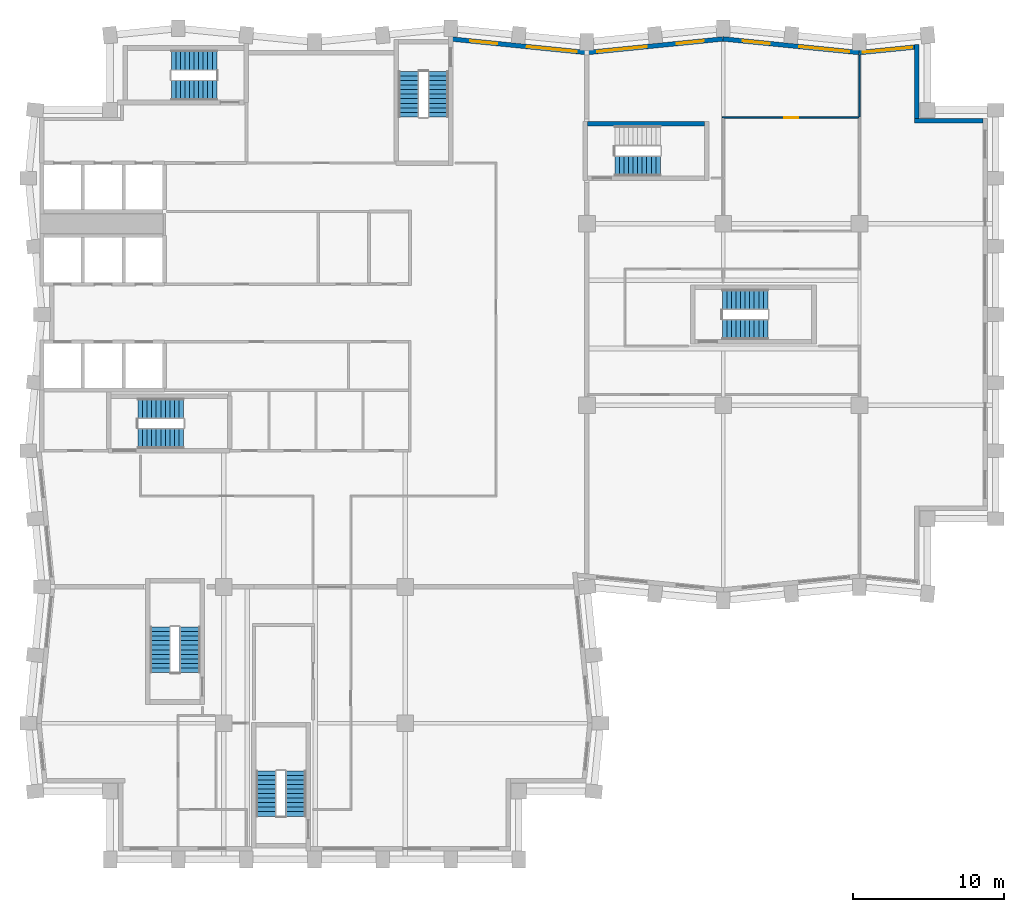
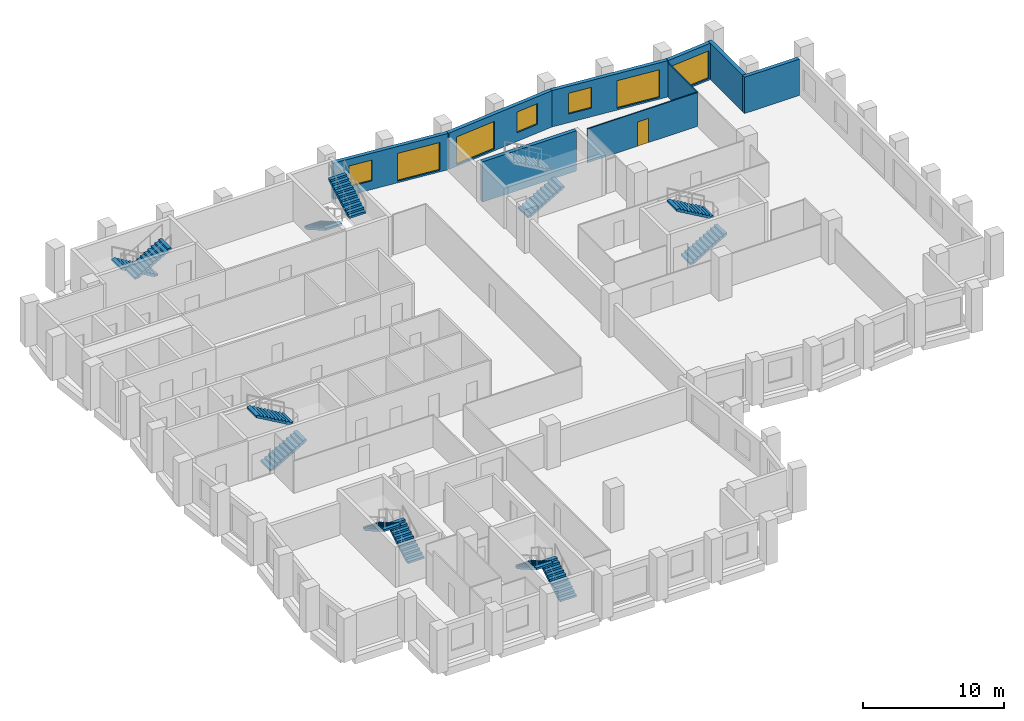
# One storey, part 7 of 10: 13 stair flights, 9 walls, 7 windows, 1 door, 8 openings, 7 elements without a shape of their own.
"""IFC4 building model written with IfcOpenShell, lengths in metres."""

from ifc_helpers import new_model, si_unit, direction, frame, frame_2d, origin, place, context, subcontext, project, spatial, polyline, rectangle, outline, extrude, material, layer, layer_set, type_object, element, fill, aggregate, save


model = new_model("IFC4")

# Units and contexts
model_context = context("Model", 3, precision=1e-05, world=origin(), true_north=direction((0.0, 1.0)))
body_context = subcontext(model_context, "Body", "Model", "MODEL_VIEW")
ifc_project = project(units=[si_unit("LENGTHUNIT", "METRE"), si_unit("AREAUNIT", "SQUARE_METRE"), si_unit("VOLUMEUNIT", "CUBIC_METRE"), si_unit("PLANEANGLEUNIT", "RADIAN"), si_unit("MASSUNIT", "GRAM", prefix="KILO")], contexts=[model_context])

# Site, building, storey
site_placement = place(None, origin())
site = spatial("IfcSite", under=ifc_project, at=site_placement, CompositionType="ELEMENT")
building_placement = place(site_placement, origin())
building = spatial("IfcBuilding", under=site, at=building_placement, Name="Brondeck Convention Tower", CompositionType="ELEMENT")
storey_placement = place(building_placement, frame((0.0, 0.0, 181.39990234375)))
storey = spatial("IfcBuildingStorey", under=building, at=storey_placement, Name="L44", CompositionType="ELEMENT", Elevation=181.39990234375)

# Walls
ifc_material_1 = material(Name="Precast concrete C50/60 bronze finish", Category="concrete")
ifc_layer_1 = layer(ifc_material_1, 0.070068359375, Name="Bronze precast facing")
ifc_material_2 = material(Name="Mineral wool")
ifc_layer_2 = layer(ifc_material_2, 0.159912109375, Name="Insulation")
ifc_material_3 = material(Name="Concrete C35/45", Category="concrete")
ifc_layer_3 = layer(ifc_material_3, 0.070068359375, Name="Backing")
ifc_layer_set_1 = layer_set([ifc_layer_1, ifc_layer_2, ifc_layer_3], Name="External infill wall, precast concrete C50/60 bronze facing")
wall_type_1 = type_object("IfcWallType", Name="External infill wall, precast concrete C50/60 bronze facing", PredefinedType="SOLIDWALL", material=ifc_layer_set_1)
wall_1_placement = place(storey_placement, frame((57.64990234375, 57.800048828125, 0.0), z_axis=(0.0, 0.0, 1.0), x_axis=(1.0, 0.0, 0.0)))
element("IfcWall", 1, at=wall_1_placement, inside=storey, type_object=wall_type_1, Name="ENV-EW-L44-P1-NC-NEA63-01", PredefinedType="SOLIDWALL", context=body_context, shape_type="SweptSolid", body=[
    extrude(rectangle(XDim=4.502197265625, YDim=0.300048828125, at=frame_2d((2.2509765625, 0.0))), origin(), (0.0, 0.0, 1.0), 3.150146484375),
])
wall_2_placement = place(storey_placement, frame((57.800048828125, 62.84228515625, 0.0), z_axis=(0.0, 0.0, 1.0), x_axis=(0.0, -1.0, 0.0)))
element("IfcWall", 2, at=wall_2_placement, inside=storey, type_object=wall_type_1, Name="ENV-EW-L44-P1-NC-NEA63-02", PredefinedType="SOLIDWALL", context=body_context, shape_type="SweptSolid", body=[
    extrude(rectangle(XDim=4.894287109375, YDim=0.300048828125, at=frame_2d((2.447265625, 0.0))), origin(), (0.0, 0.0, 1.0), 3.150146484375),
])

# Wall, opening, window
wall_3_placement = place(storey_placement, frame((53.985107421875, 62.294921875, 0.0), z_axis=(0.0, 0.0, 1.0), x_axis=(0.99503719021, 0.099503719021, 0.0)))
wall_3 = element("IfcWall", 3, at=wall_3_placement, inside=storey, type_object=wall_type_1, Name="ENV-EW-L44-P1-A-N-12", PredefinedType="SOLIDWALL", context=body_context, shape_type="SweptSolid", body=[
    extrude(rectangle(XDim=3.677978515625, YDim=0.300048828125, at=frame_2d((1.8388671875, 0.0))), origin(), (0.0, 0.0, 1.0), 3.150146484375),
])
opening_1_placement = place(wall_3_placement, frame((0.22802734375, 0.0, 0.14990234375)))
opening_1 = element("IfcOpeningElement", 4, at=opening_1_placement, cuts=wall_3, Name="Opening W9", PredefinedType="OPENING", context=body_context, shape_type="SweptSolid", body=[
    extrude(rectangle(XDim=3.300048828125, YDim=2.39990234375, at=frame_2d((1.64990234375, 1.199951171875))), frame((0.0, 0.159912109375, 0.0), z_axis=(0.0, -1.0, 0.0), x_axis=(1.0, 0.0, 0.0)), (0.0, 0.0, 1.0), 0.320068359375),
])
ifc_material_4 = material(Name="Bronze tinted double glazing", Category="glass")
window_type_1 = type_object("IfcWindowType", Name="Glazed flute window, bronze tinted", PartitioningType="SINGLE_PANEL", PredefinedType="WINDOW", material=ifc_material_4)
window_1_placement = place(opening_1_placement, origin())
window_1 = element("IfcWindow", 5, at=window_1_placement, inside=storey, type_object=window_type_1, Name="ENV-WN-L44-P1-A-N-12", OverallHeight=2.39990234375, OverallWidth=3.300048828125, PartitioningType="SINGLE_PANEL", PredefinedType="WINDOW", context=body_context, shape_type="SweptSolid", body=[
    extrude(rectangle(XDim=3.300048828125, YDim=2.39990234375, at=frame_2d((1.64990234375, 1.199951171875))), frame((0.0, 0.030029296875, 0.0), z_axis=(0.0, -1.0, 0.0), x_axis=(1.0, 0.0, 0.0)), (0.0, 0.0, 1.0), 0.06005859375),
])
fill(opening_1, window_1)

# Wall, openings, windows
wall_4_placement = place(storey_placement, frame((44.985107421875, 63.197998046875, 0.0), z_axis=(0.0, 0.0, 1.0), x_axis=(0.995037993253, -0.099495688264, 0.0)))
wall_4 = element("IfcWall", 6, at=wall_4_placement, inside=storey, type_object=wall_type_1, Name="ENV-EW-L44-P1-A-N-11", PredefinedType="SOLIDWALL", context=body_context, shape_type="SweptSolid", body=[
    extrude(rectangle(XDim=9.030029296875, YDim=0.300048828125, at=frame_2d((4.51513671875, 0.0))), origin(), (0.0, 0.0, 1.0), 3.150146484375),
])
opening_2_placement = place(wall_4_placement, frame((1.30615234375, 0.0, 0.75)))
opening_2 = element("IfcOpeningElement", 7, at=opening_2_placement, cuts=wall_4, Name="Opening W10", PredefinedType="OPENING", context=body_context, shape_type="SweptSolid", body=[
    extrude(rectangle(XDim=1.800048828125, YDim=1.800048828125, at=frame_2d((0.89990234375, 0.89990234375))), frame((0.0, 0.159912109375, 0.0), z_axis=(0.0, -1.0, 0.0), x_axis=(1.0, 0.0, 0.0)), (0.0, 0.0, 1.0), 0.320068359375),
])
opening_3_placement = place(wall_4_placement, frame((5.07861328125, 0.0, 0.14990234375)))
opening_3 = element("IfcOpeningElement", 8, at=opening_3_placement, cuts=wall_4, Name="Opening W9", PredefinedType="OPENING", context=body_context, shape_type="SweptSolid", body=[
    extrude(rectangle(XDim=3.300048828125, YDim=2.39990234375, at=frame_2d((1.64990234375, 1.199951171875))), frame((0.0, 0.159912109375, 0.0), z_axis=(0.0, -1.0, 0.0), x_axis=(1.0, 0.0, 0.0)), (0.0, 0.0, 1.0), 0.320068359375),
])
window_2_placement = place(opening_3_placement, origin())
window_2 = element("IfcWindow", 9, at=window_2_placement, inside=storey, type_object=window_type_1, Name="ENV-WN-L44-P1-A-N-11", OverallHeight=2.39990234375, OverallWidth=3.300048828125, PartitioningType="SINGLE_PANEL", PredefinedType="WINDOW", context=body_context, shape_type="SweptSolid", body=[
    extrude(rectangle(XDim=3.300048828125, YDim=2.39990234375, at=frame_2d((1.64990234375, 1.199951171875))), frame((0.0, 0.030029296875, 0.0), z_axis=(0.0, -1.0, 0.0), x_axis=(1.0, 0.0, 0.0)), (0.0, 0.0, 1.0), 0.06005859375),
])
fill(opening_3, window_2)
window_type_2 = type_object("IfcWindowType", Name="Punched window, bronze tinted", PartitioningType="SINGLE_PANEL", PredefinedType="WINDOW", material=ifc_material_4)
window_3_placement = place(opening_2_placement, origin())
window_3 = element("IfcWindow", 10, at=window_3_placement, inside=storey, type_object=window_type_2, Name="ENV-WN-L44-P1-A-N-10", OverallHeight=1.800048828125, OverallWidth=1.800048828125, PartitioningType="SINGLE_PANEL", PredefinedType="WINDOW", context=body_context, shape_type="SweptSolid", body=[
    extrude(rectangle(XDim=1.800048828125, YDim=1.800048828125, at=frame_2d((0.89990234375, 0.89990234375))), frame((0.0, 0.030029296875, 0.0), z_axis=(0.0, -1.0, 0.0), x_axis=(1.0, 0.0, 0.0)), (0.0, 0.0, 1.0), 0.06005859375),
])
fill(opening_2, window_3)

wall_5_placement = place(storey_placement, frame((35.985107421875, 62.294921875, 0.0), z_axis=(0.0, 0.0, 1.0), x_axis=(0.995035316196, 0.099522457379, 0.0)))
wall_5 = element("IfcWall", 11, at=wall_5_placement, inside=storey, type_object=wall_type_1, Name="ENV-EW-L44-P1-A-N-09", PredefinedType="SOLIDWALL", context=body_context, shape_type="SweptSolid", body=[
    extrude(rectangle(XDim=9.030029296875, YDim=0.300048828125, at=frame_2d((4.51513671875, 0.0))), origin(), (0.0, 0.0, 1.0), 3.150146484375),
])
opening_4_placement = place(wall_5_placement, frame((0.6962890625, 0.0, 0.14990234375)))
opening_4 = element("IfcOpeningElement", 12, at=opening_4_placement, cuts=wall_5, Name="Opening W9", PredefinedType="OPENING", context=body_context, shape_type="SweptSolid", body=[
    extrude(rectangle(XDim=3.300048828125, YDim=2.39990234375, at=frame_2d((1.64990234375, 1.199951171875))), frame((0.0, 0.159912109375, 0.0), z_axis=(0.0, -1.0, 0.0), x_axis=(1.0, 0.0, 0.0)), (0.0, 0.0, 1.0), 0.320068359375),
])
opening_5_placement = place(wall_5_placement, frame((5.968505859375, 0.0, 0.75)))
opening_5 = element("IfcOpeningElement", 13, at=opening_5_placement, cuts=wall_5, Name="Opening W10", PredefinedType="OPENING", context=body_context, shape_type="SweptSolid", body=[
    extrude(rectangle(XDim=1.800048828125, YDim=1.800048828125, at=frame_2d((0.89990234375, 0.89990234375))), frame((0.0, 0.159912109375, 0.0), z_axis=(0.0, -1.0, 0.0), x_axis=(1.0, 0.0, 0.0)), (0.0, 0.0, 1.0), 0.320068359375),
])
window_4_placement = place(opening_4_placement, origin())
window_4 = element("IfcWindow", 14, at=window_4_placement, inside=storey, type_object=window_type_1, Name="ENV-WN-L44-P1-A-N-08", OverallHeight=2.39990234375, OverallWidth=3.300048828125, PartitioningType="SINGLE_PANEL", PredefinedType="WINDOW", context=body_context, shape_type="SweptSolid", body=[
    extrude(rectangle(XDim=3.300048828125, YDim=2.39990234375, at=frame_2d((1.64990234375, 1.199951171875))), frame((0.0, 0.030029296875, 0.0), z_axis=(0.0, -1.0, 0.0), x_axis=(1.0, 0.0, 0.0)), (0.0, 0.0, 1.0), 0.06005859375),
])
fill(opening_4, window_4)
window_5_placement = place(opening_5_placement, origin())
window_5 = element("IfcWindow", 15, at=window_5_placement, inside=storey, type_object=window_type_2, Name="ENV-WN-L44-P1-A-N-09", OverallHeight=1.800048828125, OverallWidth=1.800048828125, PartitioningType="SINGLE_PANEL", PredefinedType="WINDOW", context=body_context, shape_type="SweptSolid", body=[
    extrude(rectangle(XDim=1.800048828125, YDim=1.800048828125, at=frame_2d((0.89990234375, 0.89990234375))), frame((0.0, 0.030029296875, 0.0), z_axis=(0.0, -1.0, 0.0), x_axis=(1.0, 0.0, 0.0)), (0.0, 0.0, 1.0), 0.06005859375),
])
fill(opening_5, window_5)

wall_6_placement = place(storey_placement, frame((27.07958984375, 63.188720703125, 0.0), z_axis=(0.0, 0.0, 1.0), x_axis=(0.995036108007, -0.099514540459, 0.0)))
wall_6 = element("IfcWall", 16, at=wall_6_placement, inside=storey, type_object=wall_type_1, Name="ENV-EW-L44-P1-A-N-07", PredefinedType="SOLIDWALL", context=body_context, shape_type="SweptSolid", body=[
    extrude(rectangle(XDim=8.93505859375, YDim=0.300048828125, at=frame_2d((4.467529296875, 0.0))), origin(), (0.0, 0.0, 1.0), 3.150146484375),
])
opening_6_placement = place(wall_6_placement, frame((1.211181640625, 0.0, 0.75)))
opening_6 = element("IfcOpeningElement", 17, at=opening_6_placement, cuts=wall_6, Name="Opening W10", PredefinedType="OPENING", context=body_context, shape_type="SweptSolid", body=[
    extrude(rectangle(XDim=1.800048828125, YDim=1.800048828125, at=frame_2d((0.89990234375, 0.89990234375))), frame((0.0, 0.159912109375, 0.0), z_axis=(0.0, -1.0, 0.0), x_axis=(1.0, 0.0, 0.0)), (0.0, 0.0, 1.0), 0.320068359375),
])
opening_7_placement = place(wall_6_placement, frame((4.983642578125, 0.0, 0.14990234375)))
opening_7 = element("IfcOpeningElement", 18, at=opening_7_placement, cuts=wall_6, Name="Opening W9", PredefinedType="OPENING", context=body_context, shape_type="SweptSolid", body=[
    extrude(rectangle(XDim=3.300048828125, YDim=2.39990234375, at=frame_2d((1.64990234375, 1.199951171875))), frame((0.0, 0.159912109375, 0.0), z_axis=(0.0, -1.0, 0.0), x_axis=(1.0, 0.0, 0.0)), (0.0, 0.0, 1.0), 0.320068359375),
])
window_6_placement = place(opening_7_placement, origin())
window_6 = element("IfcWindow", 19, at=window_6_placement, inside=storey, type_object=window_type_1, Name="ENV-WN-L44-P1-A-N-07", OverallHeight=2.39990234375, OverallWidth=3.300048828125, PartitioningType="SINGLE_PANEL", PredefinedType="WINDOW", context=body_context, shape_type="SweptSolid", body=[
    extrude(rectangle(XDim=3.300048828125, YDim=2.39990234375, at=frame_2d((1.64990234375, 1.199951171875))), frame((0.0, 0.030029296875, 0.0), z_axis=(0.0, -1.0, 0.0), x_axis=(1.0, 0.0, 0.0)), (0.0, 0.0, 1.0), 0.06005859375),
])
fill(opening_7, window_6)
window_7_placement = place(opening_6_placement, origin())
window_7 = element("IfcWindow", 20, at=window_7_placement, inside=storey, type_object=window_type_2, Name="ENV-WN-L44-P1-A-N-06", OverallHeight=1.800048828125, OverallWidth=1.800048828125, PartitioningType="SINGLE_PANEL", PredefinedType="WINDOW", context=body_context, shape_type="SweptSolid", body=[
    extrude(rectangle(XDim=1.800048828125, YDim=1.800048828125, at=frame_2d((0.89990234375, 0.89990234375))), frame((0.0, 0.030029296875, 0.0), z_axis=(0.0, -1.0, 0.0), x_axis=(1.0, 0.0, 0.0)), (0.0, 0.0, 1.0), 0.06005859375),
])
fill(opening_6, window_7)

# Wall, opening, door
ifc_material_5 = material(Name="Gypsum board partition on steel studs", Category="steel")
ifc_layer_4 = layer(ifc_material_5, 0.10009765625)
ifc_layer_set_2 = layer_set([ifc_layer_4], Name="Room partition 100")
wall_type_2 = type_object("IfcWallType", Name="Room partition 100", PredefinedType="PARTITIONING", material=ifc_layer_set_2)
wall_7_placement = place(storey_placement, frame((44.949951171875, 58.0, 0.0), z_axis=(0.0, 0.0, 1.0), x_axis=(1.0, 0.0, 0.0)))
wall_7 = element("IfcWall", 21, at=wall_7_placement, inside=storey, type_object=wall_type_2, Name="FLR-L44-W050", PredefinedType="PARTITIONING", context=body_context, shape_type="SweptSolid", body=[
    extrude(rectangle(XDim=9.0, YDim=0.10009765625, at=frame_2d((4.5, 0.0))), origin(), (0.0, 0.0, 1.0), 2.93017578125),
])
opening_8_placement = place(wall_7_placement, frame((4.10009765625, 0.0, 0.0)))
opening_8 = element("IfcOpeningElement", 22, at=opening_8_placement, cuts=wall_7, Name="Opening OF-I-008", PredefinedType="OPENING", context=body_context, shape_type="SweptSolid", body=[
    extrude(rectangle(XDim=0.89990234375, YDim=2.10009765625, at=frame_2d((0.449951171875, 1.050048828125))), frame((0.0, 0.06005859375, 0.0), z_axis=(0.0, -1.0, 0.0), x_axis=(1.0, 0.0, 0.0)), (0.0, 0.0, 1.0), 0.1201171875),
])
ifc_material_6 = material(Name="Solid timber door leaf", Category="wood")
door_type = type_object("IfcDoorType", Name="Single door 900", OperationType="NOTDEFINED", PredefinedType="DOOR", material=ifc_material_6)
door_placement = place(opening_8_placement, origin())
door = element("IfcDoor", 23, at=door_placement, inside=storey, type_object=door_type, Name="Door OF-I-008", OperationType="SINGLE_SWING_LEFT", OverallHeight=2.10009765625, OverallWidth=0.89990234375, PredefinedType="DOOR", context=body_context, shape_type="SweptSolid", body=[
    extrude(rectangle(XDim=0.89990234375, YDim=2.10009765625, at=frame_2d((0.449951171875, 1.050048828125))), frame((0.0, 0.02490234375, 0.0), z_axis=(0.0, -1.0, 0.0), x_axis=(1.0, 0.0, 0.0)), (0.0, 0.0, 1.0), 0.050048828125),
])
fill(opening_8, door)

# Walls
wall_8_placement = place(storey_placement, frame((54.0, 58.050048828125, 0.0), z_axis=(0.0, 0.0, 1.0), x_axis=(0.0, 1.0, 0.0)))
element("IfcWall", 24, at=wall_8_placement, inside=storey, type_object=wall_type_2, Name="FLR-L44-W051", PredefinedType="PARTITIONING", context=body_context, shape_type="SweptSolid", body=[
    extrude(rectangle(XDim=4.07568359375, YDim=0.10009765625, at=frame_2d((2.037841796875, 0.0))), origin(), (0.0, 0.0, 1.0), 2.93017578125),
])
ifc_material_7 = material(Name="Concrete C70/85", Category="concrete")
ifc_layer_5 = layer(ifc_material_7, 0.300048828125)
ifc_layer_set_3 = layer_set([ifc_layer_5], Name="Stair enclosure wall 300 Concrete C70/85")
wall_type_3 = type_object("IfcWallType", Name="Stair enclosure wall 300 Concrete C70/85", PredefinedType="SHEAR", material=ifc_layer_set_3)
wall_9_placement = place(storey_placement, frame((36.050048828125, 57.60009765625, 0.0), z_axis=(0.0, 0.0, 1.0), x_axis=(1.0, 0.0, 0.0)))
element("IfcWall", 25, at=wall_9_placement, inside=storey, type_object=wall_type_3, Name="L44 core wall", PredefinedType="SHEAR", context=body_context, shape_type="SweptSolid", body=[
    extrude(rectangle(XDim=7.699951171875, YDim=0.300048828125, at=frame_2d((3.85009765625, 0.0))), origin(), (0.0, 0.0, 1.0), 3.5),
])

# Stair, stair flights
ifc_material_8 = material(Name="Precast concrete C50/60", Category="concrete")
stair_type = type_object("IfcStairType", Name="Core stair 22 risers 172.73 mm riser 300 mm going 1350 wide", PredefinedType="HALF_TURN_STAIR", material=ifc_material_8)
stair_1_placement = place(storey_placement, origin())
stair_1 = element("IfcStair", 26, at=stair_1_placement, inside=storey, type_object=stair_type, Name="ST-1 L44 stair", PredefinedType="HALF_TURN_STAIR")
stair_flight_type = type_object("IfcStairFlightType", Name="Core stair flight 22 risers 172.73 mm riser 300 mm going 1350 wide", PredefinedType="STRAIGHT", material=ifc_material_8)
stair_flight_1_placement = place(storey_placement, frame((6.35009765625, 36.824951171875, 0.0), z_axis=(0.0, 0.0, 1.0), x_axis=(1.0, 0.0, 0.0)))
stair_flight_1 = element("IfcStairFlight", 27, at=stair_flight_1_placement, type_object=stair_flight_type, Name="ST-1 flight 1", NumberOfRisers=11, NumberOfTreads=10, PredefinedType="STRAIGHT", RiserHeight=0.172727273, TreadLength=0.3, context=body_context, shape_type="SweptSolid", body=[
    extrude(outline(polyline([(0.0, 0.0), (0.0, 0.172607421875), (0.300048828125, 0.172607421875), (0.300048828125, 0.345458984375), (0.60009765625, 0.345458984375), (0.60009765625, 0.51806640625), (0.89990234375, 0.51806640625), (0.89990234375, 0.69091796875), (1.199951171875, 0.69091796875), (1.199951171875, 0.863525390625), (1.5, 0.863525390625), (1.5, 1.036376953125), (1.800048828125, 1.036376953125), (1.800048828125, 1.208984375), (2.10009765625, 1.208984375), (2.10009765625, 1.3818359375), (2.39990234375, 1.3818359375), (2.39990234375, 1.554443359375), (2.699951171875, 1.554443359375), (2.699951171875, 1.727294921875), (3.0, 1.727294921875), (3.0, 1.89990234375), (3.0, 1.55419921875), (0.300537109375, 0.0), (0.0, 0.0)])), frame((0.0, 0.675048828125, 0.0), z_axis=(0.0, -1.0, 0.0), x_axis=(1.0, 0.0, 0.0)), (0.0, 0.0, 1.0), 1.35009765625),
])
stair_flight_2_placement = place(storey_placement, frame((9.35009765625, 38.77490234375, 1.900146484375), z_axis=(0.0, 0.0, 1.0), x_axis=(-1.0, 0.0, 0.0)))
stair_flight_2 = element("IfcStairFlight", 28, at=stair_flight_2_placement, type_object=stair_flight_type, Name="ST-1 flight 2", NumberOfRisers=11, NumberOfTreads=10, PredefinedType="STRAIGHT", RiserHeight=0.172727273, TreadLength=0.3, context=body_context, shape_type="SweptSolid", body=[
    extrude(outline(polyline([(0.0, 0.0), (0.0, 0.172607421875), (0.300048828125, 0.172607421875), (0.300048828125, 0.345458984375), (0.60009765625, 0.345458984375), (0.60009765625, 0.51806640625), (0.89990234375, 0.51806640625), (0.89990234375, 0.69091796875), (1.199951171875, 0.69091796875), (1.199951171875, 0.863525390625), (1.5, 0.863525390625), (1.5, 1.036376953125), (1.800048828125, 1.036376953125), (1.800048828125, 1.208984375), (2.10009765625, 1.208984375), (2.10009765625, 1.3818359375), (2.39990234375, 1.3818359375), (2.39990234375, 1.554443359375), (2.699951171875, 1.554443359375), (2.699951171875, 1.727294921875), (3.0, 1.727294921875), (3.0, 1.89990234375), (3.0, 1.55419921875), (0.300537109375, 0.0), (0.0, 0.0)])), frame((0.0, 0.675048828125, 0.0), z_axis=(0.0, -1.0, 0.0), x_axis=(1.0, 0.0, 0.0)), (0.0, 0.0, 1.0), 1.35009765625),
])
aggregate(stair_1, [stair_flight_1, stair_flight_2])

stair_2_placement = place(storey_placement, origin())
stair_2 = element("IfcStair", 29, at=stair_2_placement, inside=storey, type_object=stair_type, Name="ST-2 L44 stair", PredefinedType="HALF_TURN_STAIR")
stair_flight_3_placement = place(storey_placement, frame((24.22509765625, 61.050048828125, 0.0), z_axis=(0.0, 0.0, 1.0), x_axis=(0.0, -1.0, 0.0)))
stair_flight_3 = element("IfcStairFlight", 30, at=stair_flight_3_placement, type_object=stair_flight_type, Name="ST-2 flight 1", NumberOfRisers=11, NumberOfTreads=10, PredefinedType="STRAIGHT", RiserHeight=0.172727273, TreadLength=0.3, context=body_context, shape_type="SweptSolid", body=[
    extrude(outline(polyline([(0.0, 0.0), (0.0, 0.172607421875), (0.300048828125, 0.172607421875), (0.300048828125, 0.345458984375), (0.60009765625, 0.345458984375), (0.60009765625, 0.51806640625), (0.89990234375, 0.51806640625), (0.89990234375, 0.69091796875), (1.199951171875, 0.69091796875), (1.199951171875, 0.863525390625), (1.5, 0.863525390625), (1.5, 1.036376953125), (1.800048828125, 1.036376953125), (1.800048828125, 1.208984375), (2.10009765625, 1.208984375), (2.10009765625, 1.3818359375), (2.39990234375, 1.3818359375), (2.39990234375, 1.554443359375), (2.699951171875, 1.554443359375), (2.699951171875, 1.727294921875), (3.0, 1.727294921875), (3.0, 1.89990234375), (3.0, 1.55419921875), (0.300537109375, 0.0), (0.0, 0.0)])), frame((0.0, 0.675048828125, 0.0), z_axis=(0.0, -1.0, 0.0), x_axis=(1.0, 0.0, 0.0)), (0.0, 0.0, 1.0), 1.35009765625),
])
stair_flight_4_placement = place(storey_placement, frame((26.175048828125, 58.050048828125, 1.900146484375), z_axis=(0.0, 0.0, 1.0), x_axis=(0.0, 1.0, 0.0)))
stair_flight_4 = element("IfcStairFlight", 31, at=stair_flight_4_placement, type_object=stair_flight_type, Name="ST-2 flight 2", NumberOfRisers=11, NumberOfTreads=10, PredefinedType="STRAIGHT", RiserHeight=0.172727273, TreadLength=0.3, context=body_context, shape_type="SweptSolid", body=[
    extrude(outline(polyline([(0.0, 0.0), (0.0, 0.172607421875), (0.300048828125, 0.172607421875), (0.300048828125, 0.345458984375), (0.60009765625, 0.345458984375), (0.60009765625, 0.51806640625), (0.89990234375, 0.51806640625), (0.89990234375, 0.69091796875), (1.199951171875, 0.69091796875), (1.199951171875, 0.863525390625), (1.5, 0.863525390625), (1.5, 1.036376953125), (1.800048828125, 1.036376953125), (1.800048828125, 1.208984375), (2.10009765625, 1.208984375), (2.10009765625, 1.3818359375), (2.39990234375, 1.3818359375), (2.39990234375, 1.554443359375), (2.699951171875, 1.554443359375), (2.699951171875, 1.727294921875), (3.0, 1.727294921875), (3.0, 1.89990234375), (3.0, 1.55419921875), (0.300537109375, 0.0), (0.0, 0.0)])), frame((0.0, 0.675048828125, 0.0), z_axis=(0.0, -1.0, 0.0), x_axis=(1.0, 0.0, 0.0)), (0.0, 0.0, 1.0), 1.35009765625),
])
aggregate(stair_2, [stair_flight_3, stair_flight_4])

stair_3_placement = place(storey_placement, origin())
stair_3 = element("IfcStair", 32, at=stair_3_placement, inside=storey, type_object=stair_type, Name="ST-3 L44 stair", PredefinedType="HALF_TURN_STAIR")
stair_flight_5_placement = place(storey_placement, frame((11.550048828125, 61.77490234375, 0.0), z_axis=(0.0, 0.0, 1.0), x_axis=(-1.0, 0.0, 0.0)))
stair_flight_5 = element("IfcStairFlight", 33, at=stair_flight_5_placement, type_object=stair_flight_type, Name="ST-3 flight 1", NumberOfRisers=11, NumberOfTreads=10, PredefinedType="STRAIGHT", RiserHeight=0.172727273, TreadLength=0.3, context=body_context, shape_type="SweptSolid", body=[
    extrude(outline(polyline([(0.0, 0.0), (0.0, 0.172607421875), (0.300048828125, 0.172607421875), (0.300048828125, 0.345458984375), (0.60009765625, 0.345458984375), (0.60009765625, 0.51806640625), (0.89990234375, 0.51806640625), (0.89990234375, 0.69091796875), (1.199951171875, 0.69091796875), (1.199951171875, 0.863525390625), (1.5, 0.863525390625), (1.5, 1.036376953125), (1.800048828125, 1.036376953125), (1.800048828125, 1.208984375), (2.10009765625, 1.208984375), (2.10009765625, 1.3818359375), (2.39990234375, 1.3818359375), (2.39990234375, 1.554443359375), (2.699951171875, 1.554443359375), (2.699951171875, 1.727294921875), (3.0, 1.727294921875), (3.0, 1.89990234375), (3.0, 1.55419921875), (0.300537109375, 0.0), (0.0, 0.0)])), frame((0.0, 0.675048828125, 0.0), z_axis=(0.0, -1.0, 0.0), x_axis=(1.0, 0.0, 0.0)), (0.0, 0.0, 1.0), 1.35009765625),
])
stair_flight_6_placement = place(storey_placement, frame((8.550048828125, 59.824951171875, 1.900146484375), z_axis=(0.0, 0.0, 1.0), x_axis=(1.0, 0.0, 0.0)))
stair_flight_6 = element("IfcStairFlight", 34, at=stair_flight_6_placement, type_object=stair_flight_type, Name="ST-3 flight 2", NumberOfRisers=11, NumberOfTreads=10, PredefinedType="STRAIGHT", RiserHeight=0.172727273, TreadLength=0.3, context=body_context, shape_type="SweptSolid", body=[
    extrude(outline(polyline([(0.0, 0.0), (0.0, 0.172607421875), (0.300048828125, 0.172607421875), (0.300048828125, 0.345458984375), (0.60009765625, 0.345458984375), (0.60009765625, 0.51806640625), (0.89990234375, 0.51806640625), (0.89990234375, 0.69091796875), (1.199951171875, 0.69091796875), (1.199951171875, 0.863525390625), (1.5, 0.863525390625), (1.5, 1.036376953125), (1.800048828125, 1.036376953125), (1.800048828125, 1.208984375), (2.10009765625, 1.208984375), (2.10009765625, 1.3818359375), (2.39990234375, 1.3818359375), (2.39990234375, 1.554443359375), (2.699951171875, 1.554443359375), (2.699951171875, 1.727294921875), (3.0, 1.727294921875), (3.0, 1.89990234375), (3.0, 1.55419921875), (0.300537109375, 0.0), (0.0, 0.0)])), frame((0.0, 0.675048828125, 0.0), z_axis=(0.0, -1.0, 0.0), x_axis=(1.0, 0.0, 0.0)), (0.0, 0.0, 1.0), 1.35009765625),
])
aggregate(stair_3, [stair_flight_5, stair_flight_6])

# Stair, stair flight
stair_4_placement = place(storey_placement, origin())
stair_4 = element("IfcStair", 35, at=stair_4_placement, inside=storey, type_object=stair_type, Name="ST-AE L44 stair", PredefinedType="HALF_TURN_STAIR")
stair_flight_7_placement = place(storey_placement, frame((37.85009765625, 54.824951171875, 0.0), z_axis=(0.0, 0.0, 1.0), x_axis=(1.0, 0.0, 0.0)))
stair_flight_7 = element("IfcStairFlight", 36, at=stair_flight_7_placement, type_object=stair_flight_type, Name="ST-AE flight 1", NumberOfRisers=11, NumberOfTreads=10, PredefinedType="STRAIGHT", RiserHeight=0.172727273, TreadLength=0.3, context=body_context, shape_type="SweptSolid", body=[
    extrude(outline(polyline([(0.0, 0.0), (0.0, 0.172607421875), (0.300048828125, 0.172607421875), (0.300048828125, 0.345458984375), (0.60009765625, 0.345458984375), (0.60009765625, 0.51806640625), (0.89990234375, 0.51806640625), (0.89990234375, 0.69091796875), (1.199951171875, 0.69091796875), (1.199951171875, 0.863525390625), (1.5, 0.863525390625), (1.5, 1.036376953125), (1.800048828125, 1.036376953125), (1.800048828125, 1.208984375), (2.10009765625, 1.208984375), (2.10009765625, 1.3818359375), (2.39990234375, 1.3818359375), (2.39990234375, 1.554443359375), (2.699951171875, 1.554443359375), (2.699951171875, 1.727294921875), (3.0, 1.727294921875), (3.0, 1.89990234375), (3.0, 1.55419921875), (0.300537109375, 0.0), (0.0, 0.0)])), frame((0.0, 0.675048828125, 0.0), z_axis=(0.0, -1.0, 0.0), x_axis=(1.0, 0.0, 0.0)), (0.0, 0.0, 1.0), 1.35009765625),
])
aggregate(stair_4, [stair_flight_7])

# Stair, stair flights
stair_5_placement = place(storey_placement, origin())
stair_5 = element("IfcStair", 37, at=stair_5_placement, inside=storey, type_object=stair_type, Name="ST-BE L44 stair", PredefinedType="HALF_TURN_STAIR")
stair_flight_8_placement = place(storey_placement, frame((9.77490234375, 21.35009765625, 0.0), z_axis=(0.0, 0.0, 1.0), x_axis=(0.0, 1.0, 0.0)))
stair_flight_8 = element("IfcStairFlight", 38, at=stair_flight_8_placement, type_object=stair_flight_type, Name="ST-BE flight 1", NumberOfRisers=11, NumberOfTreads=10, PredefinedType="STRAIGHT", RiserHeight=0.172727273, TreadLength=0.3, context=body_context, shape_type="SweptSolid", body=[
    extrude(outline(polyline([(0.0, 0.0), (0.0, 0.172607421875), (0.300048828125, 0.172607421875), (0.300048828125, 0.345458984375), (0.60009765625, 0.345458984375), (0.60009765625, 0.51806640625), (0.89990234375, 0.51806640625), (0.89990234375, 0.69091796875), (1.199951171875, 0.69091796875), (1.199951171875, 0.863525390625), (1.5, 0.863525390625), (1.5, 1.036376953125), (1.800048828125, 1.036376953125), (1.800048828125, 1.208984375), (2.10009765625, 1.208984375), (2.10009765625, 1.3818359375), (2.39990234375, 1.3818359375), (2.39990234375, 1.554443359375), (2.699951171875, 1.554443359375), (2.699951171875, 1.727294921875), (3.0, 1.727294921875), (3.0, 1.89990234375), (3.0, 1.55419921875), (0.300537109375, 0.0), (0.0, 0.0)])), frame((0.0, 0.675048828125, 0.0), z_axis=(0.0, -1.0, 0.0), x_axis=(1.0, 0.0, 0.0)), (0.0, 0.0, 1.0), 1.35009765625),
])
stair_flight_9_placement = place(storey_placement, frame((7.824951171875, 24.35009765625, 1.900146484375), z_axis=(0.0, 0.0, 1.0), x_axis=(0.0, -1.0, 0.0)))
stair_flight_9 = element("IfcStairFlight", 39, at=stair_flight_9_placement, type_object=stair_flight_type, Name="ST-BE flight 2", NumberOfRisers=11, NumberOfTreads=10, PredefinedType="STRAIGHT", RiserHeight=0.172727273, TreadLength=0.3, context=body_context, shape_type="SweptSolid", body=[
    extrude(outline(polyline([(0.0, 0.0), (0.0, 0.172607421875), (0.300048828125, 0.172607421875), (0.300048828125, 0.345458984375), (0.60009765625, 0.345458984375), (0.60009765625, 0.51806640625), (0.89990234375, 0.51806640625), (0.89990234375, 0.69091796875), (1.199951171875, 0.69091796875), (1.199951171875, 0.863525390625), (1.5, 0.863525390625), (1.5, 1.036376953125), (1.800048828125, 1.036376953125), (1.800048828125, 1.208984375), (2.10009765625, 1.208984375), (2.10009765625, 1.3818359375), (2.39990234375, 1.3818359375), (2.39990234375, 1.554443359375), (2.699951171875, 1.554443359375), (2.699951171875, 1.727294921875), (3.0, 1.727294921875), (3.0, 1.89990234375), (3.0, 1.55419921875), (0.300537109375, 0.0), (0.0, 0.0)])), frame((0.0, 0.675048828125, 0.0), z_axis=(0.0, -1.0, 0.0), x_axis=(1.0, 0.0, 0.0)), (0.0, 0.0, 1.0), 1.35009765625),
])
aggregate(stair_5, [stair_flight_8, stair_flight_9])

stair_6_placement = place(storey_placement, origin())
stair_6 = element("IfcStair", 40, at=stair_6_placement, inside=storey, type_object=stair_type, Name="ST-AF L44 stair", PredefinedType="HALF_TURN_STAIR")
stair_flight_10_placement = place(storey_placement, frame((44.949951171875, 44.02490234375, 0.0), z_axis=(0.0, 0.0, 1.0), x_axis=(1.0, 0.0, 0.0)))
stair_flight_10 = element("IfcStairFlight", 41, at=stair_flight_10_placement, type_object=stair_flight_type, Name="ST-AF flight 1", NumberOfRisers=11, NumberOfTreads=10, PredefinedType="STRAIGHT", RiserHeight=0.172727273, TreadLength=0.3, context=body_context, shape_type="SweptSolid", body=[
    extrude(outline(polyline([(0.0, 0.0), (0.0, 0.172607421875), (0.300048828125, 0.172607421875), (0.300048828125, 0.345458984375), (0.60009765625, 0.345458984375), (0.60009765625, 0.51806640625), (0.89990234375, 0.51806640625), (0.89990234375, 0.69091796875), (1.199951171875, 0.69091796875), (1.199951171875, 0.863525390625), (1.5, 0.863525390625), (1.5, 1.036376953125), (1.800048828125, 1.036376953125), (1.800048828125, 1.208984375), (2.10009765625, 1.208984375), (2.10009765625, 1.3818359375), (2.39990234375, 1.3818359375), (2.39990234375, 1.554443359375), (2.699951171875, 1.554443359375), (2.699951171875, 1.727294921875), (3.0, 1.727294921875), (3.0, 1.89990234375), (3.0, 1.55419921875), (0.300537109375, 0.0), (0.0, 0.0)])), frame((0.0, 0.675048828125, 0.0), z_axis=(0.0, -1.0, 0.0), x_axis=(1.0, 0.0, 0.0)), (0.0, 0.0, 1.0), 1.35009765625),
])
stair_flight_11_placement = place(storey_placement, frame((47.949951171875, 45.97509765625, 1.900146484375), z_axis=(0.0, 0.0, 1.0), x_axis=(-1.0, 0.0, 0.0)))
stair_flight_11 = element("IfcStairFlight", 42, at=stair_flight_11_placement, type_object=stair_flight_type, Name="ST-AF flight 2", NumberOfRisers=11, NumberOfTreads=10, PredefinedType="STRAIGHT", RiserHeight=0.172727273, TreadLength=0.3, context=body_context, shape_type="SweptSolid", body=[
    extrude(outline(polyline([(0.0, 0.0), (0.0, 0.172607421875), (0.300048828125, 0.172607421875), (0.300048828125, 0.345458984375), (0.60009765625, 0.345458984375), (0.60009765625, 0.51806640625), (0.89990234375, 0.51806640625), (0.89990234375, 0.69091796875), (1.199951171875, 0.69091796875), (1.199951171875, 0.863525390625), (1.5, 0.863525390625), (1.5, 1.036376953125), (1.800048828125, 1.036376953125), (1.800048828125, 1.208984375), (2.10009765625, 1.208984375), (2.10009765625, 1.3818359375), (2.39990234375, 1.3818359375), (2.39990234375, 1.554443359375), (2.699951171875, 1.554443359375), (2.699951171875, 1.727294921875), (3.0, 1.727294921875), (3.0, 1.89990234375), (3.0, 1.55419921875), (0.300537109375, 0.0), (0.0, 0.0)])), frame((0.0, 0.675048828125, 0.0), z_axis=(0.0, -1.0, 0.0), x_axis=(1.0, 0.0, 0.0)), (0.0, 0.0, 1.0), 1.35009765625),
])
aggregate(stair_6, [stair_flight_10, stair_flight_11])

stair_7_placement = place(storey_placement, origin())
stair_7 = element("IfcStair", 43, at=stair_7_placement, inside=storey, type_object=stair_type, Name="ST-BF L44 stair", PredefinedType="HALF_TURN_STAIR")
stair_flight_12_placement = place(storey_placement, frame((16.77490234375, 11.85009765625, 0.0), z_axis=(0.0, 0.0, 1.0), x_axis=(0.0, 1.0, 0.0)))
stair_flight_12 = element("IfcStairFlight", 44, at=stair_flight_12_placement, type_object=stair_flight_type, Name="ST-BF flight 1", NumberOfRisers=11, NumberOfTreads=10, PredefinedType="STRAIGHT", RiserHeight=0.172727273, TreadLength=0.3, context=body_context, shape_type="SweptSolid", body=[
    extrude(outline(polyline([(0.0, 0.0), (0.0, 0.172607421875), (0.300048828125, 0.172607421875), (0.300048828125, 0.345458984375), (0.60009765625, 0.345458984375), (0.60009765625, 0.51806640625), (0.89990234375, 0.51806640625), (0.89990234375, 0.69091796875), (1.199951171875, 0.69091796875), (1.199951171875, 0.863525390625), (1.5, 0.863525390625), (1.5, 1.036376953125), (1.800048828125, 1.036376953125), (1.800048828125, 1.208984375), (2.10009765625, 1.208984375), (2.10009765625, 1.3818359375), (2.39990234375, 1.3818359375), (2.39990234375, 1.554443359375), (2.699951171875, 1.554443359375), (2.699951171875, 1.727294921875), (3.0, 1.727294921875), (3.0, 1.89990234375), (3.0, 1.55419921875), (0.300537109375, 0.0), (0.0, 0.0)])), frame((0.0, 0.675048828125, 0.0), z_axis=(0.0, -1.0, 0.0), x_axis=(1.0, 0.0, 0.0)), (0.0, 0.0, 1.0), 1.35009765625),
])
stair_flight_13_placement = place(storey_placement, frame((14.824951171875, 14.85009765625, 1.900146484375), z_axis=(0.0, 0.0, 1.0), x_axis=(0.0, -1.0, 0.0)))
stair_flight_13 = element("IfcStairFlight", 45, at=stair_flight_13_placement, type_object=stair_flight_type, Name="ST-BF flight 2", NumberOfRisers=11, NumberOfTreads=10, PredefinedType="STRAIGHT", RiserHeight=0.172727273, TreadLength=0.3, context=body_context, shape_type="SweptSolid", body=[
    extrude(outline(polyline([(0.0, 0.0), (0.0, 0.172607421875), (0.300048828125, 0.172607421875), (0.300048828125, 0.345458984375), (0.60009765625, 0.345458984375), (0.60009765625, 0.51806640625), (0.89990234375, 0.51806640625), (0.89990234375, 0.69091796875), (1.199951171875, 0.69091796875), (1.199951171875, 0.863525390625), (1.5, 0.863525390625), (1.5, 1.036376953125), (1.800048828125, 1.036376953125), (1.800048828125, 1.208984375), (2.10009765625, 1.208984375), (2.10009765625, 1.3818359375), (2.39990234375, 1.3818359375), (2.39990234375, 1.554443359375), (2.699951171875, 1.554443359375), (2.699951171875, 1.727294921875), (3.0, 1.727294921875), (3.0, 1.89990234375), (3.0, 1.55419921875), (0.300537109375, 0.0), (0.0, 0.0)])), frame((0.0, 0.675048828125, 0.0), z_axis=(0.0, -1.0, 0.0), x_axis=(1.0, 0.0, 0.0)), (0.0, 0.0, 1.0), 1.35009765625),
])
aggregate(stair_7, [stair_flight_12, stair_flight_13])

save(model, "model.ifc")
